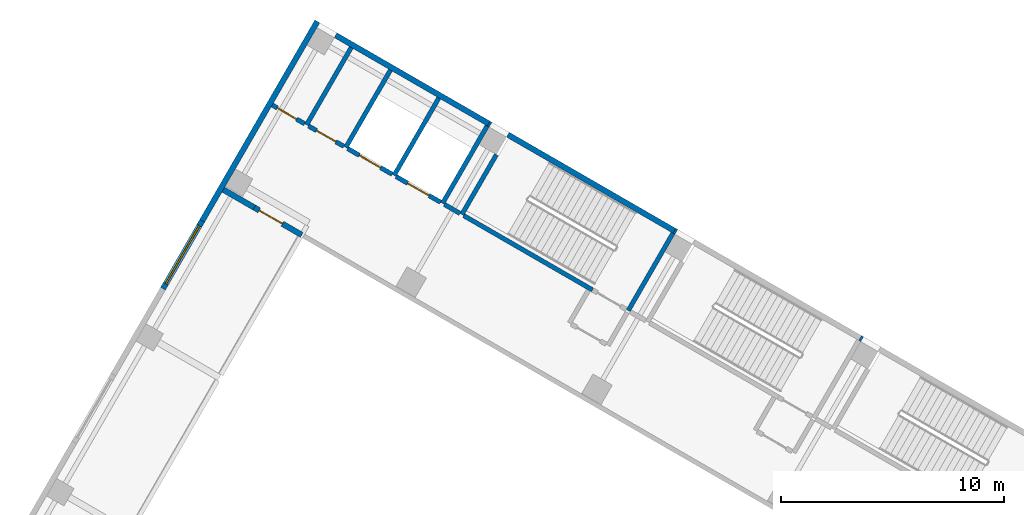
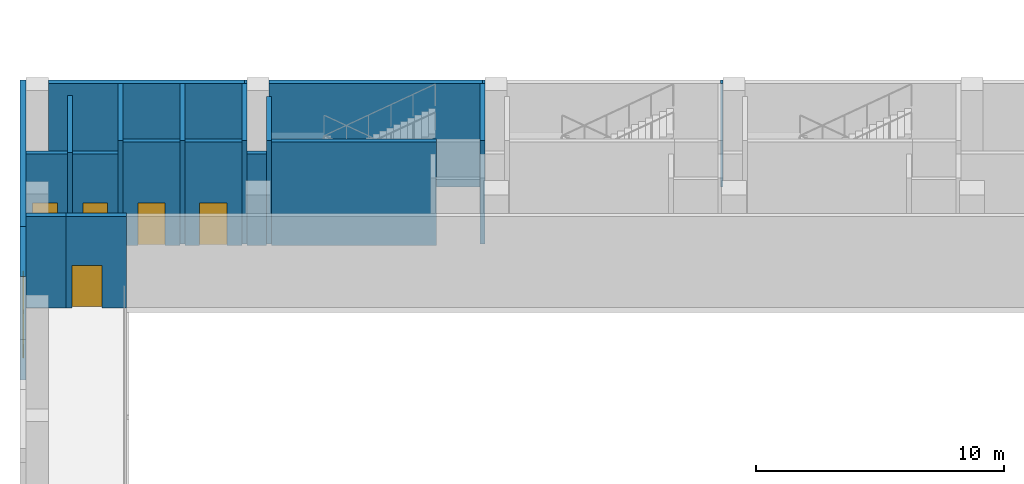
# One storey, part 17 of 35: 21 walls, 5 doors, 1 window, 6 openings.
"""IFC4 building model written with IfcOpenShell, lengths in metres."""

from ifc_helpers import new_model, si_unit, direction, frame, frame_2d, origin, place, context, subcontext, project, spatial, rectangle, extrude, material, layer, layer_set, type_object, element, fill, save


model = new_model("IFC4")

# Units and contexts
model_context = context("Model", 3, precision=1e-05, world=origin(), true_north=direction((0.0, 1.0)))
body_context = subcontext(model_context, "Body", "Model", "MODEL_VIEW")
ifc_project = project(units=[si_unit("LENGTHUNIT", "METRE"), si_unit("AREAUNIT", "SQUARE_METRE"), si_unit("VOLUMEUNIT", "CUBIC_METRE"), si_unit("PLANEANGLEUNIT", "RADIAN"), si_unit("MASSUNIT", "GRAM", prefix="KILO")], contexts=[model_context])

# Site, building, storey
site_placement = place(None, origin())
site = spatial("IfcSite", under=ifc_project, at=site_placement, CompositionType="ELEMENT")
building_placement = place(site_placement, origin())
building = spatial("IfcBuilding", under=site, at=building_placement, Name="Mestral Congress Tower", CompositionType="ELEMENT")
storey_placement = place(building_placement, frame((0.0, 0.0, 6.0)))
storey = spatial("IfcBuildingStorey", under=building, at=storey_placement, Name="L01", CompositionType="ELEMENT", Elevation=6.0)

# Wall
ifc_material_1 = material(Name="Precast concrete C40/50 with limestone facing", Category="masonry")
ifc_layer_1 = layer(ifc_material_1, 0.25)
ifc_layer_set_1 = layer_set([ifc_layer_1], Name="Precast concrete C40/50 with limestone facing")
wall_type_1 = type_object("IfcWallType", Name="Podium external wall 250", PredefinedType="SOLIDWALL", material=ifc_layer_set_1)
wall_1_placement = place(storey_placement, frame((-49.0712890625, 62.612060546875, 0.0), z_axis=(0.0, 0.0, 1.0), x_axis=(0.500001855621, 0.866024332438, 0.0)))
element("IfcWall", 1, at=wall_1_placement, inside=storey, type_object=wall_type_1, Name="L01 external wall", PredefinedType="SOLIDWALL", context=body_context, shape_type="SweptSolid", body=[
    extrude(rectangle(XDim=10.31201171875, YDim=0.25, at=frame_2d((5.156005859375, 0.0))), origin(), (0.0, 0.0, 1.0), 5.10009765625),
])

# Wall, opening, window
wall_2_placement = place(storey_placement, frame((-50.8212890625, 59.5810546875, 0.0), z_axis=(0.0, 0.0, 1.0), x_axis=(0.500010275428, 0.866019471182, 0.0)))
wall_2 = element("IfcWall", 2, at=wall_2_placement, inside=storey, type_object=wall_type_1, Name="L01 external wall", PredefinedType="SOLIDWALL", context=body_context, shape_type="SweptSolid", body=[
    extrude(rectangle(XDim=3.5, YDim=0.25, at=frame_2d((1.75, 0.0))), origin(), (0.0, 0.0, 1.0), 5.10009765625),
])
opening_1_placement = place(wall_2_placement, frame((0.25, 0.0, 0.89990234375)))
opening_1 = element("IfcOpeningElement", 3, at=opening_1_placement, cuts=wall_2, Name="Opening PW-3000x2200", PredefinedType="OPENING", context=body_context, shape_type="SweptSolid", body=[
    extrude(rectangle(XDim=3.0, YDim=2.199951171875, at=frame_2d((1.5, 1.10009765625))), frame((0.0, 0.135009765625, 0.0), z_axis=(0.0, -1.0, 0.0), x_axis=(1.0, 0.0, 0.0)), (0.0, 0.0, 1.0), 0.27001953125),
])
ifc_material_2 = material(Name="Aluminium frame, clear double glazing", Category="aluminium")
window_type = type_object("IfcWindowType", Name="Podium window 3000x2200 sill 900", PartitioningType="SINGLE_PANEL", PredefinedType="WINDOW", material=ifc_material_2)
window_placement = place(opening_1_placement, origin())
window = element("IfcWindow", 4, at=window_placement, inside=storey, type_object=window_type, Name="Window", OverallHeight=2.199951171875, OverallWidth=3.0, PartitioningType="SINGLE_PANEL", PredefinedType="WINDOW", context=body_context, shape_type="SweptSolid", body=[
    extrude(rectangle(XDim=3.0, YDim=2.199951171875, at=frame_2d((1.5, 1.10009765625))), frame((0.0, 0.030029296875, 0.0), z_axis=(0.0, -1.0, 0.0), x_axis=(1.0, 0.0, 0.0)), (0.0, 0.0, 1.0), 0.06005859375),
])
fill(opening_1, window)

# Walls
wall_3_placement = place(storey_placement, frame((-35.382568359375, 66.4716796875, 0.0), z_axis=(0.0, 0.0, 1.0), x_axis=(0.866028165386, -0.499995216735, 0.0)))
element("IfcWall", 5, at=wall_3_placement, inside=storey, type_object=wall_type_1, Name="L01 external wall", PredefinedType="SOLIDWALL", context=body_context, shape_type="SweptSolid", body=[
    extrude(rectangle(XDim=8.60009765625, YDim=0.25, at=frame_2d((4.300048828125, 0.0))), origin(), (0.0, 0.0, 1.0), 5.10009765625),
])
wall_4_placement = place(storey_placement, frame((-43.090087890625, 70.921630859375, 0.0), z_axis=(0.0, 0.0, 1.0), x_axis=(0.866026562566, -0.499997992926, 0.0)))
element("IfcWall", 6, at=wall_4_placement, inside=storey, type_object=wall_type_1, Name="L01 external wall", PredefinedType="SOLIDWALL", context=body_context, shape_type="SweptSolid", body=[
    extrude(rectangle(XDim=7.89990234375, YDim=0.25, at=frame_2d((3.949951171875, 0.0))), origin(), (0.0, 0.0, 1.0), 5.10009765625),
])
wall_5_placement = place(storey_placement, frame((-19.620849609375, 57.37158203125, 0.0), z_axis=(0.0, 0.0, 1.0), x_axis=(0.867038199201, -0.4982416694, 0.0)))
element("IfcWall", 7, at=wall_5_placement, inside=storey, type_object=wall_type_1, Name="L01 external wall", PredefinedType="SOLIDWALL", context=body_context, shape_type="SweptSolid", body=[
    extrude(rectangle(XDim=0.099853515625, YDim=0.25, at=frame_2d((0.0498046875, 0.0))), origin(), (0.0, 0.0, 1.0), 5.10009765625),
])
for number, where, z_axis, x_axis, name in (
    (8, (-27.9345703125, 62.171630859375, 0.0), (0.0, 0.0, 1.0), (0.865982457891, -0.500074377092, 0.0), "L01 external wall"),
    (9, (-36.24853515625, 66.9716796875, 0.0), (0.0, 0.0, 1.0), (0.865982457891, -0.500074377092, 0.0), "L01 external wall"),
):
    element("IfcWall", number, at=place(storey_placement, frame(where, z_axis=z_axis, x_axis=x_axis)), inside=storey, type_object=wall_type_1, Name=name, PredefinedType="SOLIDWALL", context=body_context, shape_type="SweptSolid", body=[
        extrude(rectangle(XDim=0.10009765625, YDim=0.25, at=frame_2d((0.050048828125, 0.0))), origin(), (0.0, 0.0, 1.0), 5.10009765625),
    ])

# Wall, opening, door
ifc_material_3 = material(Name="Masonry block wall", Category="masonry")
ifc_layer_2 = layer(ifc_material_3, 0.25)
ifc_layer_set_2 = layer_set([ifc_layer_2], Name="Masonry block wall")
wall_type_2 = type_object("IfcWallType", Name="Podium hall wall 250 EI 180", PredefinedType="SOLIDWALL", material=ifc_layer_set_2)
wall_6_placement = place(storey_placement, frame((-46.73388671875, 63.21044921875, 0.0), z_axis=(0.0, 0.0, 1.0), x_axis=(0.866057815567, -0.499943856944, 0.0)))
wall_6 = element("IfcWall", 10, at=wall_6_placement, inside=storey, type_object=wall_type_2, Name="L01 partition", PredefinedType="SOLIDWALL", context=body_context, shape_type="SweptSolid", body=[
    extrude(rectangle(XDim=2.449951171875, YDim=0.25, at=frame_2d((1.22509765625, 0.0))), origin(), (0.0, 0.0, 1.0), 4.5),
])
opening_2_placement = place(wall_6_placement, frame((0.25, 0.0, 0.0)))
opening_2 = element("IfcOpeningElement", 11, at=opening_2_placement, cuts=wall_6, Name="Opening P01-318", PredefinedType="OPENING", context=body_context, shape_type="SweptSolid", body=[
    extrude(rectangle(XDim=1.199951171875, YDim=2.10009765625, at=frame_2d((0.60009765625, 1.050048828125))), frame((0.0, 0.135009765625, 0.0), z_axis=(0.0, -1.0, 0.0), x_axis=(1.0, 0.0, 0.0)), (0.0, 0.0, 1.0), 0.27001953125),
])
ifc_material_4 = material(Name="Fire-rated steel door set", Category="steel")
door_type_1 = type_object("IfcDoorType", Name="Podium hall door 1200x2100 EI2 90-C5", OperationType="SINGLE_SWING_LEFT", PredefinedType="DOOR", material=ifc_material_4)
door_1_placement = place(opening_2_placement, origin())
door_1 = element("IfcDoor", 12, at=door_1_placement, inside=storey, type_object=door_type_1, Name="Door P01-318", OperationType="SINGLE_SWING_LEFT", OverallHeight=2.10009765625, OverallWidth=1.199951171875, PredefinedType="DOOR", context=body_context, shape_type="SweptSolid", body=[
    extrude(rectangle(XDim=1.199951171875, YDim=2.10009765625, at=frame_2d((0.60009765625, 1.050048828125))), frame((0.0, 0.02490234375, 0.0), z_axis=(0.0, -1.0, 0.0), x_axis=(1.0, 0.0, 0.0)), (0.0, 0.0, 1.0), 0.050048828125),
])
fill(opening_2, door_1)

# Walls
wall_7_placement = place(storey_placement, frame((-46.73388671875, 63.21044921875, 0.0), z_axis=(0.0, 0.0, 1.0), x_axis=(-0.865989903783, 0.500061482766, 0.0)))
element("IfcWall", 13, at=wall_7_placement, inside=storey, type_object=wall_type_2, Name="L01 partition", PredefinedType="SOLIDWALL", context=body_context, shape_type="SweptSolid", body=[
    extrude(rectangle(XDim=1.599853515625, YDim=0.25, at=frame_2d((0.7998046875, 0.0))), origin(), (0.0, 0.0, 1.0), 4.5),
])
ifc_layer_3 = layer(ifc_material_3, 0.199951171875)
ifc_layer_set_3 = layer_set([ifc_layer_3], Name="Masonry block wall")
wall_type_3 = type_object("IfcWallType", Name="Podium stair enclosure wall 200 EI 120 load-bearing", PredefinedType="SOLIDWALL", material=ifc_layer_set_3)
wall_8_placement = place(storey_placement, frame((-27.9970703125, 62.0634765625, 0.0), z_axis=(0.0, 0.0, 1.0), x_axis=(-0.49999894854, -0.866026010844, 0.0)))
element("IfcWall", 14, at=wall_8_placement, inside=storey, type_object=wall_type_3, Name="L01 partition", PredefinedType="SOLIDWALL", context=body_context, shape_type="SweptSolid", body=[
    extrude(rectangle(XDim=4.0, YDim=0.199951171875, at=frame_2d((2.0, 0.0))), origin(), (0.0, 0.0, 1.0), 5.10009765625),
])
wall_9_placement = place(storey_placement, frame((-35.89501953125, 65.583984375, 0.0), z_axis=(0.0, 0.0, 1.0), x_axis=(-0.500026960575, -0.86600983753, 0.0)))
element("IfcWall", 15, at=wall_9_placement, inside=storey, type_object=wall_type_3, Name="L01 partition", PredefinedType="SOLIDWALL", context=body_context, shape_type="SweptSolid", body=[
    extrude(rectangle(XDim=3.099853515625, YDim=0.199951171875, at=frame_2d((1.5498046875, 0.0))), origin(), (0.0, 0.0, 1.0), 5.10009765625),
])
wall_10_placement = place(storey_placement, frame((-31.599365234375, 59.5244140625, 0.0), z_axis=(0.0, 0.0, 1.0), x_axis=(-0.866027239912, 0.49999681972, 0.0)))
element("IfcWall", 16, at=wall_10_placement, inside=storey, type_object=wall_type_3, Name="L01 partition", PredefinedType="SOLIDWALL", context=body_context, shape_type="SweptSolid", body=[
    extrude(rectangle(XDim=6.64990234375, YDim=0.199951171875, at=frame_2d((3.324951171875, 0.0))), origin(), (0.0, 0.0, 1.0), 5.10009765625),
])
for number, where, z_axis, x_axis, name in (
    (17, (-36.31103515625, 66.863525390625, 0.0), (0.0, 0.0, 1.0), (-0.49999894854, -0.866026010844, 0.0), "L01 partition"),
    (18, (-38.47607421875, 68.113525390625, 0.0), (0.0, 0.0, 1.0), (-0.49999894854, -0.866026010844, 0.0), "L01 partition"),
    (19, (-40.64111328125, 69.363525390625, 0.0), (0.0, 0.0, 1.0), (-0.49999894854, -0.866026010844, 0.0), "L01 partition"),
):
    element("IfcWall", number, at=place(storey_placement, frame(where, z_axis=z_axis, x_axis=x_axis)), inside=storey, type_object=wall_type_3, Name=name, PredefinedType="SOLIDWALL", context=body_context, shape_type="SweptSolid", body=[
        extrude(rectangle(XDim=4.0, YDim=0.199951171875, at=frame_2d((2.0, 0.0))), origin(), (0.0, 0.0, 1.0), 5.10009765625),
    ])

# Wall, opening, door
wall_11_placement = place(storey_placement, frame((-40.389404296875, 64.599365234375, 0.0), z_axis=(0.0, 0.0, 1.0), x_axis=(0.86602648383, -0.499998129301, 0.0)))
wall_11 = element("IfcWall", 20, at=wall_11_placement, inside=storey, type_object=wall_type_3, Name="L01 partition", PredefinedType="SOLIDWALL", context=body_context, shape_type="SweptSolid", body=[
    extrude(rectangle(XDim=2.2998046875, YDim=0.199951171875, at=frame_2d((1.14990234375, 0.0))), origin(), (0.0, 0.0, 1.0), 5.10009765625),
])
opening_3_placement = place(wall_11_placement, frame((0.60009765625, 0.0, 0.0)))
opening_3 = element("IfcOpeningElement", 21, at=opening_3_placement, cuts=wall_11, Name="Opening P01-307", PredefinedType="OPENING", context=body_context, shape_type="SweptSolid", body=[
    extrude(rectangle(XDim=1.10009765625, YDim=2.10009765625, at=frame_2d((0.550048828125, 1.050048828125))), frame((0.0, 0.10986328125, 0.0), z_axis=(0.0, -1.0, 0.0), x_axis=(1.0, 0.0, 0.0)), (0.0, 0.0, 1.0), 0.219970703125),
])
door_type_2 = type_object("IfcDoorType", Name="Podium lift landing door 1100x2100 EI2 60-C5", OperationType="DOUBLE_DOOR_SLIDING", PredefinedType="DOOR", material=ifc_material_4)
door_2_placement = place(opening_3_placement, origin())
door_2 = element("IfcDoor", 22, at=door_2_placement, inside=storey, type_object=door_type_2, Name="Door P01-307", OperationType="DOUBLE_DOOR_SLIDING", OverallHeight=2.10009765625, OverallWidth=1.10009765625, PredefinedType="DOOR", context=body_context, shape_type="SweptSolid", body=[
    extrude(rectangle(XDim=1.10009765625, YDim=2.10009765625, at=frame_2d((0.550048828125, 1.050048828125))), frame((0.0, 0.02490234375, 0.0), z_axis=(0.0, -1.0, 0.0), x_axis=(1.0, 0.0, 0.0)), (0.0, 0.0, 1.0), 0.050048828125),
])
fill(opening_3, door_2)

wall_12_placement = place(storey_placement, frame((-42.554443359375, 65.849365234375, 0.0), z_axis=(0.0, 0.0, 1.0), x_axis=(0.86602648383, -0.499998129301, 0.0)))
wall_12 = element("IfcWall", 23, at=wall_12_placement, inside=storey, type_object=wall_type_3, Name="L01 partition", PredefinedType="SOLIDWALL", context=body_context, shape_type="SweptSolid", body=[
    extrude(rectangle(XDim=2.2998046875, YDim=0.199951171875, at=frame_2d((1.14990234375, 0.0))), origin(), (0.0, 0.0, 1.0), 5.10009765625),
])
opening_4_placement = place(wall_12_placement, frame((0.60009765625, 0.0, 0.0)))
opening_4 = element("IfcOpeningElement", 24, at=opening_4_placement, cuts=wall_12, Name="Opening P01-308", PredefinedType="OPENING", context=body_context, shape_type="SweptSolid", body=[
    extrude(rectangle(XDim=1.10009765625, YDim=2.10009765625, at=frame_2d((0.550048828125, 1.050048828125))), frame((0.0, 0.10986328125, 0.0), z_axis=(0.0, -1.0, 0.0), x_axis=(1.0, 0.0, 0.0)), (0.0, 0.0, 1.0), 0.219970703125),
])
door_3_placement = place(opening_4_placement, origin())
door_3 = element("IfcDoor", 25, at=door_3_placement, inside=storey, type_object=door_type_2, Name="Door P01-308", OperationType="DOUBLE_DOOR_SLIDING", OverallHeight=2.10009765625, OverallWidth=1.10009765625, PredefinedType="DOOR", context=body_context, shape_type="SweptSolid", body=[
    extrude(rectangle(XDim=1.10009765625, YDim=2.10009765625, at=frame_2d((0.550048828125, 1.050048828125))), frame((0.0, 0.02490234375, 0.0), z_axis=(0.0, -1.0, 0.0), x_axis=(1.0, 0.0, 0.0)), (0.0, 0.0, 1.0), 0.050048828125),
])
fill(opening_4, door_3)

# Wall
ifc_material_5 = material(Name="Fire-rated board partition")
ifc_layer_4 = layer(ifc_material_5, 0.199951171875)
ifc_layer_set_4 = layer_set([ifc_layer_4], Name="Fire-rated board partition")
wall_type_4 = type_object("IfcWallType", Name="Podium vestibule wall 200 EI 120", PredefinedType="PARTITIONING", material=ifc_layer_set_4)
wall_13_placement = place(storey_placement, frame((-42.394775390625, 70.3759765625, 0.0), z_axis=(0.0, 0.0, 1.0), x_axis=(-0.49999894854, -0.866026010844, 0.0)))
element("IfcWall", 26, at=wall_13_placement, inside=storey, type_object=wall_type_4, Name="L01 partition", PredefinedType="PARTITIONING", context=body_context, shape_type="SweptSolid", body=[
    extrude(rectangle(XDim=4.0, YDim=0.199951171875, at=frame_2d((2.0, 0.0))), origin(), (0.0, 0.0, 1.0), 4.5),
])

# Wall, opening, door
wall_14_placement = place(storey_placement, frame((-44.30810546875, 66.86181640625, 0.0), z_axis=(0.0, 0.0, 1.0), x_axis=(0.866036312054, -0.499981105847, 0.0)))
wall_14 = element("IfcWall", 27, at=wall_14_placement, inside=storey, type_object=wall_type_4, Name="L01 partition", PredefinedType="PARTITIONING", context=body_context, shape_type="SweptSolid", body=[
    extrude(rectangle(XDim=1.82470703125, YDim=0.199951171875, at=frame_2d((0.912353515625, 0.0))), origin(), (0.0, 0.0, 1.0), 4.5),
])
opening_5_placement = place(wall_14_placement, frame((0.41259765625, 0.0, 0.0)))
opening_5 = element("IfcOpeningElement", 28, at=opening_5_placement, cuts=wall_14, Name="Opening P01-322", PredefinedType="OPENING", context=body_context, shape_type="SweptSolid", body=[
    extrude(rectangle(XDim=1.0, YDim=2.10009765625, at=frame_2d((0.5, 1.050048828125))), frame((0.0, 0.10986328125, 0.0), z_axis=(0.0, -1.0, 0.0), x_axis=(1.0, 0.0, 0.0)), (0.0, 0.0, 1.0), 0.219970703125),
])
door_type_3 = type_object("IfcDoorType", Name="Podium room door 1000x2100 EI2 30-C5", OperationType="SINGLE_SWING_LEFT", PredefinedType="DOOR", material=ifc_material_4)
door_4_placement = place(opening_5_placement, origin())
door_4 = element("IfcDoor", 29, at=door_4_placement, inside=storey, type_object=door_type_3, Name="Door P01-322", OperationType="SINGLE_SWING_LEFT", OverallHeight=2.10009765625, OverallWidth=1.0, PredefinedType="DOOR", context=body_context, shape_type="SweptSolid", body=[
    extrude(rectangle(XDim=1.0, YDim=2.10009765625, at=frame_2d((0.5, 1.050048828125))), frame((0.0, 0.02490234375, 0.0), z_axis=(0.0, -1.0, 0.0), x_axis=(1.0, 0.0, 0.0)), (0.0, 0.0, 1.0), 0.050048828125),
])
fill(opening_5, door_4)

wall_15_placement = place(storey_placement, frame((-45.931884765625, 67.79931640625, 0.0), z_axis=(0.0, 0.0, 1.0), x_axis=(0.866027799164, -0.499995851058, 0.0)))
wall_15 = element("IfcWall", 30, at=wall_15_placement, inside=storey, type_object=wall_type_4, Name="L01 partition", PredefinedType="PARTITIONING", context=body_context, shape_type="SweptSolid", body=[
    extrude(rectangle(XDim=1.6748046875, YDim=0.199951171875, at=frame_2d((0.83740234375, 0.0))), origin(), (0.0, 0.0, 1.0), 4.5),
])
opening_6_placement = place(wall_15_placement, frame((0.262451171875, 0.0, 0.0)))
opening_6 = element("IfcOpeningElement", 31, at=opening_6_placement, cuts=wall_15, Name="Opening P01-323", PredefinedType="OPENING", context=body_context, shape_type="SweptSolid", body=[
    extrude(rectangle(XDim=1.0, YDim=2.10009765625, at=frame_2d((0.5, 1.050048828125))), frame((0.0, 0.10986328125, 0.0), z_axis=(0.0, -1.0, 0.0), x_axis=(1.0, 0.0, 0.0)), (0.0, 0.0, 1.0), 0.219970703125),
])
door_5_placement = place(opening_6_placement, origin())
door_5 = element("IfcDoor", 32, at=door_5_placement, inside=storey, type_object=door_type_3, Name="Door P01-323", OperationType="SINGLE_SWING_LEFT", OverallHeight=2.10009765625, OverallWidth=1.0, PredefinedType="DOOR", context=body_context, shape_type="SweptSolid", body=[
    extrude(rectangle(XDim=1.0, YDim=2.10009765625, at=frame_2d((0.5, 1.050048828125))), frame((0.0, 0.02490234375, 0.0), z_axis=(0.0, -1.0, 0.0), x_axis=(1.0, 0.0, 0.0)), (0.0, 0.0, 1.0), 0.050048828125),
])
fill(opening_6, door_5)

# Wall
wall_16_placement = place(storey_placement, frame((-37.531494140625, 62.949462890625, 0.0), z_axis=(0.0, 0.0, 1.0), x_axis=(-0.866094119867, 0.499880961361, 0.0)))
element("IfcWall", 33, at=wall_16_placement, inside=storey, type_object=wall_type_4, Name="L01 partition", PredefinedType="PARTITIONING", context=body_context, shape_type="SweptSolid", body=[
    extrude(rectangle(XDim=0.800048828125, YDim=0.199951171875, at=frame_2d((0.39990234375, 0.0))), origin(), (0.0, 0.0, 1.0), 4.5),
])

save(model, "model.ifc")
